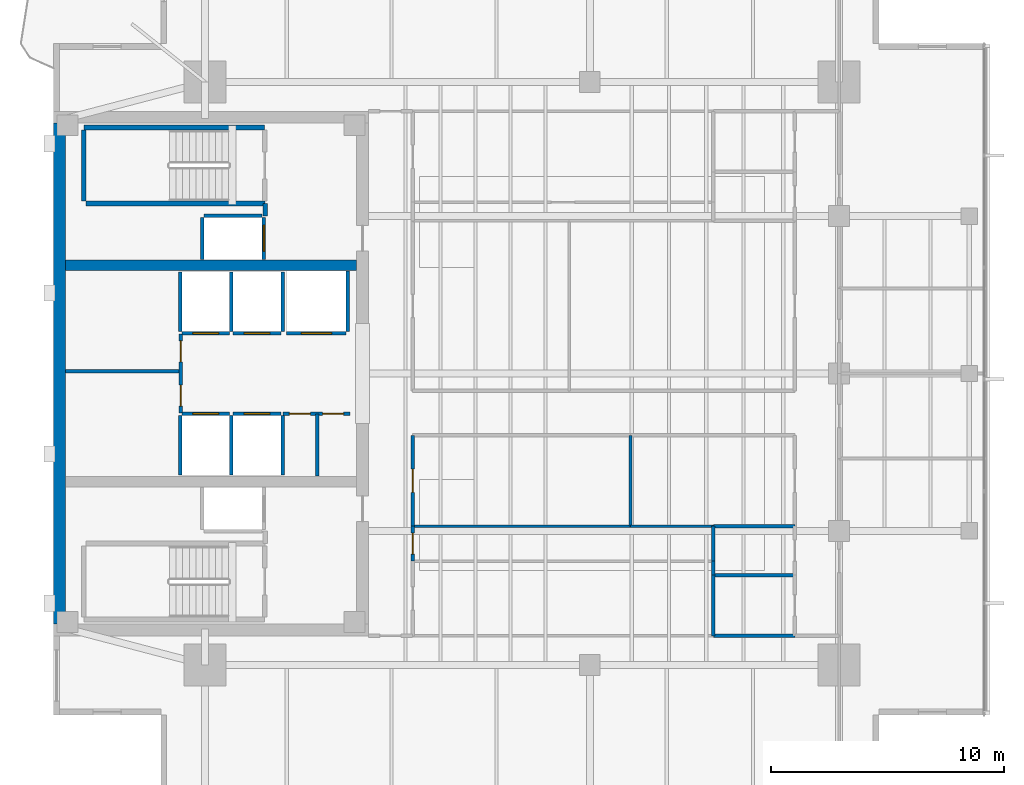
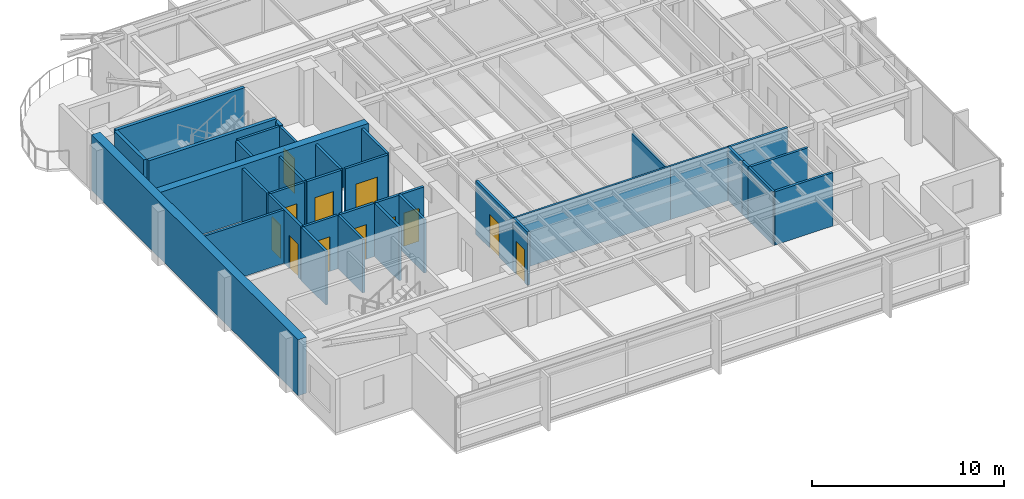
# One storey, part 8 of 14: 36 walls, 12 doors, 12 openings.
"""IFC4 building model written with IfcOpenShell, lengths in metres."""

from ifc_helpers import new_model, si_unit, direction, frame, frame_2d, origin, place, context, subcontext, project, spatial, rectangle, extrude, material, layer, layer_set, type_object, element, fill, save


model = new_model("IFC4")

# Units and contexts
model_context = context("Model", 3, precision=1e-05, world=origin(), true_north=direction((0.0, 1.0)))
body_context = subcontext(model_context, "Body", "Model", "MODEL_VIEW")
ifc_project = project(units=[si_unit("LENGTHUNIT", "METRE"), si_unit("AREAUNIT", "SQUARE_METRE"), si_unit("VOLUMEUNIT", "CUBIC_METRE"), si_unit("PLANEANGLEUNIT", "RADIAN"), si_unit("MASSUNIT", "GRAM", prefix="KILO")], contexts=[model_context])

# Site, building, storey
site_placement = place(None, origin())
site = spatial("IfcSite", under=ifc_project, at=site_placement, CompositionType="ELEMENT")
building_placement = place(site_placement, origin())
building = spatial("IfcBuilding", under=site, at=building_placement, Name="Kinhvarn Gate Tower", CompositionType="ELEMENT")
storey_placement = place(building_placement, frame((0.0, 0.0, 249.25)))
storey = spatial("IfcBuildingStorey", under=building, at=storey_placement, Name="L66", CompositionType="ELEMENT", Elevation=249.25)

# Walls
ifc_material_1 = material(Name="Concrete C50/60", Category="concrete")
ifc_layer_1 = layer(ifc_material_1, 0.449951171875)
ifc_layer_set_1 = layer_set([ifc_layer_1], Name="Concrete C50/60")
wall_type_1 = type_object("IfcWallType", Name="WL-CORE-450", PredefinedType="SHEAR", material=ifc_layer_set_1)
wall_1_placement = place(storey_placement, frame((5.0, 29.89990234375, 0.0), z_axis=(0.0, 0.0, 1.0), x_axis=(1.0, 0.0, 0.0)))
element("IfcWall", 1, at=wall_1_placement, inside=storey, type_object=wall_type_1, Name="Core North Spine Shear Wall L66 450 mm", PredefinedType="SHEAR", context=body_context, shape_type="SweptSolid", body=[
    extrude(rectangle(XDim=12.5, YDim=0.449951171875, at=frame_2d((6.25, 0.0))), origin(), (0.0, 0.0, 1.0), 3.550048828125),
])
ifc_layer_2 = layer(ifc_material_1, 0.5)
ifc_layer_set_2 = layer_set([ifc_layer_2], Name="Concrete C50/60")
wall_type_2 = type_object("IfcWallType", Name="WL-COREX-500", PredefinedType="SHEAR", material=ifc_layer_set_2)
wall_2_placement = place(storey_placement, frame((4.75, 14.5, 0.0), z_axis=(0.0, 0.0, 1.0), x_axis=(0.0, 1.0, 0.0)))
element("IfcWall", 2, at=wall_2_placement, inside=storey, type_object=wall_type_2, Name="Core West Shear Wall L66 500 mm", PredefinedType="SHEAR", context=body_context, shape_type="SweptSolid", body=[
    extrude(rectangle(XDim=21.5, YDim=0.5, at=frame_2d((10.75, 0.0))), origin(), (0.0, 0.0, 1.0), 3.550048828125),
])
ifc_material_2 = material(Name="Gypsum acoustic partition board")
ifc_layer_3 = layer(ifc_material_2, 0.14990234375)
ifc_layer_set_3 = layer_set([ifc_layer_3], Name="Gypsum acoustic partition board")
wall_type_3 = type_object("IfcWallType", Name="WL-PLM-150", PredefinedType="PLUMBINGWALL", material=ifc_layer_set_3)
wall_3_placement = place(storey_placement, frame((32.800048828125, 16.60009765625, 0.0), z_axis=(0.0, 0.0, 1.0), x_axis=(1.0, 0.0, 0.0)))
element("IfcWall", 3, at=wall_3_placement, inside=storey, type_object=wall_type_3, Name="Interior Partition PLW-150 (L66)", PredefinedType="PLUMBINGWALL", context=body_context, shape_type="SweptSolid", body=[
    extrude(rectangle(XDim=3.5, YDim=0.14990234375, at=frame_2d((1.75, 0.0))), origin(), (0.0, 0.0, 1.0), 3.389892578125),
])
wall_4_placement = place(storey_placement, frame((32.800048828125, 14.0, 0.0), z_axis=(0.0, 0.0, 1.0), x_axis=(0.0, 1.0, 0.0)))
element("IfcWall", 4, at=wall_4_placement, inside=storey, type_object=wall_type_3, Name="Interior Partition PLW-150 (L66)", PredefinedType="PLUMBINGWALL", context=body_context, shape_type="SweptSolid", body=[
    extrude(rectangle(XDim=2.60009765625, YDim=0.14990234375, at=frame_2d((1.300048828125, 0.0))), origin(), (0.0, 0.0, 1.0), 3.389892578125),
])
wall_5_placement = place(storey_placement, frame((32.800048828125, 14.0, 0.0), z_axis=(0.0, 0.0, 1.0), x_axis=(1.0, 0.0, 0.0)))
element("IfcWall", 5, at=wall_5_placement, inside=storey, type_object=wall_type_3, Name="Interior Partition PLW-150 (L66)", PredefinedType="PLUMBINGWALL", context=body_context, shape_type="SweptSolid", body=[
    extrude(rectangle(XDim=3.5, YDim=0.14990234375, at=frame_2d((1.75, 0.0))), origin(), (0.0, 0.0, 1.0), 3.389892578125),
])
wall_6_placement = place(storey_placement, frame((32.800048828125, 16.60009765625, 0.0), z_axis=(0.0, 0.0, 1.0), x_axis=(0.0, 1.0, 0.0)))
element("IfcWall", 6, at=wall_6_placement, inside=storey, type_object=wall_type_3, Name="Interior Partition PLW-150 (L66)", PredefinedType="PLUMBINGWALL", context=body_context, shape_type="SweptSolid", body=[
    extrude(rectangle(XDim=0.599853515625, YDim=0.14990234375, at=frame_2d((0.2998046875, 0.0))), origin(), (0.0, 0.0, 1.0), 3.389892578125),
])
wall_7_placement = place(storey_placement, frame((32.800048828125, 17.199951171875, 0.0), z_axis=(0.0, 0.0, 1.0), x_axis=(0.0, 1.0, 0.0)))
element("IfcWall", 7, at=wall_7_placement, inside=storey, type_object=wall_type_3, Name="Interior Partition PLW-150 (L66)", PredefinedType="PLUMBINGWALL", context=body_context, shape_type="SweptSolid", body=[
    extrude(rectangle(XDim=1.5, YDim=0.14990234375, at=frame_2d((0.75, 0.0))), origin(), (0.0, 0.0, 1.0), 3.389892578125),
])
wall_8_placement = place(storey_placement, frame((32.800048828125, 18.699951171875, 0.0), z_axis=(0.0, 0.0, 1.0), x_axis=(1.0, 0.0, 0.0)))
element("IfcWall", 8, at=wall_8_placement, inside=storey, type_object=wall_type_3, Name="Interior Partition PLW-150 (L66)", PredefinedType="PLUMBINGWALL", context=body_context, shape_type="SweptSolid", body=[
    extrude(rectangle(XDim=3.5, YDim=0.14990234375, at=frame_2d((1.75, 0.0))), origin(), (0.0, 0.0, 1.0), 3.389892578125),
])
ifc_layer_4 = layer(ifc_material_2, 0.1201171875)
ifc_layer_set_4 = layer_set([ifc_layer_4], Name="Gypsum acoustic partition board")
wall_type_4 = type_object("IfcWallType", Name="WL-PRT-120", PredefinedType="PARTITIONING", material=ifc_layer_set_4)
wall_9_placement = place(storey_placement, frame((19.89990234375, 18.699951171875, 0.0), z_axis=(0.0, 0.0, 1.0), x_axis=(1.0, 0.0, 0.0)))
element("IfcWall", 9, at=wall_9_placement, inside=storey, type_object=wall_type_4, Name="Interior Partition PW-120 (L66)", PredefinedType="PARTITIONING", context=body_context, shape_type="SweptSolid", body=[
    extrude(rectangle(XDim=9.35009765625, YDim=0.1201171875, at=frame_2d((4.675048828125, 0.0))), origin(), (0.0, 0.0, 1.0), 3.389892578125),
])
wall_10_placement = place(storey_placement, frame((29.25, 18.699951171875, 0.0), z_axis=(0.0, 0.0, 1.0), x_axis=(1.0, 0.0, 0.0)))
element("IfcWall", 10, at=wall_10_placement, inside=storey, type_object=wall_type_4, Name="Interior Partition PW-120 (L66)", PredefinedType="PARTITIONING", context=body_context, shape_type="SweptSolid", body=[
    extrude(rectangle(XDim=3.550048828125, YDim=0.1201171875, at=frame_2d((1.77490234375, 0.0))), origin(), (0.0, 0.0, 1.0), 3.389892578125),
])
wall_11_placement = place(storey_placement, frame((29.25, 18.699951171875, 0.0), z_axis=(0.0, 0.0, 1.0), x_axis=(0.0, 1.0, 0.0)))
element("IfcWall", 11, at=wall_11_placement, inside=storey, type_object=wall_type_4, Name="Interior Partition PW-120 (L66)", PredefinedType="PARTITIONING", context=body_context, shape_type="SweptSolid", body=[
    extrude(rectangle(XDim=3.900146484375, YDim=0.1201171875, at=frame_2d((1.9501953125, 0.0))), origin(), (0.0, 0.0, 1.0), 3.1201171875),
])
ifc_layer_5 = layer(ifc_material_2, 0.14990234375)
ifc_layer_set_5 = layer_set([ifc_layer_5], Name="Gypsum acoustic partition board")
wall_type_5 = type_object("IfcWallType", Name="WL-PRT-150F", PredefinedType="PARTITIONING", material=ifc_layer_set_5)
wall_12_placement = place(storey_placement, frame((5.0, 25.35009765625, 0.0), z_axis=(0.0, 0.0, 1.0), x_axis=(1.0, 0.0, 0.0)))
element("IfcWall", 12, at=wall_12_placement, inside=storey, type_object=wall_type_5, Name="Interior Partition PW-150F (L66)", PredefinedType="PARTITIONING", context=body_context, shape_type="SweptSolid", body=[
    extrude(rectangle(XDim=4.949951171875, YDim=0.14990234375, at=frame_2d((2.47509765625, 0.0))), origin(), (0.0, 0.0, 1.0), 3.389892578125),
])

# Wall, openings, doors
wall_13_placement = place(storey_placement, frame((9.949951171875, 23.550048828125, 0.0), z_axis=(0.0, 0.0, 1.0), x_axis=(0.0, 1.0, 0.0)))
wall_13 = element("IfcWall", 13, at=wall_13_placement, inside=storey, type_object=wall_type_5, Name="Interior Partition PW-150F (L66)", PredefinedType="PARTITIONING", context=body_context, shape_type="SweptSolid", body=[
    extrude(rectangle(XDim=3.39990234375, YDim=0.14990234375, at=frame_2d((1.699951171875, 0.0))), origin(), (0.0, 0.0, 1.0), 3.389892578125),
])
opening_1_placement = place(wall_13_placement, frame((0.298095703125, 0.0, 0.0)))
opening_1 = element("IfcOpeningElement", 14, at=opening_1_placement, cuts=wall_13, Name="Opening FD-04", PredefinedType="OPENING", context=body_context, shape_type="SweptSolid", body=[
    extrude(rectangle(XDim=0.89990234375, YDim=2.10009765625, at=frame_2d((0.449951171875, 1.050048828125))), frame((0.0, 0.0849609375, 0.0), z_axis=(0.0, -1.0, 0.0), x_axis=(1.0, 0.0, 0.0)), (0.0, 0.0, 1.0), 0.169921875),
])
opening_2_placement = place(wall_13_placement, frame((2.201904296875, 0.0, 0.0)))
opening_2 = element("IfcOpeningElement", 15, at=opening_2_placement, cuts=wall_13, Name="Opening FD-04", PredefinedType="OPENING", context=body_context, shape_type="SweptSolid", body=[
    extrude(rectangle(XDim=0.89990234375, YDim=2.10009765625, at=frame_2d((0.449951171875, 1.050048828125))), frame((0.0, 0.0849609375, 0.0), z_axis=(0.0, -1.0, 0.0), x_axis=(1.0, 0.0, 0.0)), (0.0, 0.0, 1.0), 0.169921875),
])
ifc_material_3 = material(Name="Anodised aluminium AW-6063", Category="aluminium")
door_type_1 = type_object("IfcDoorType", Name="DR-FD-900", OperationType="NOTDEFINED", PredefinedType="DOOR", material=ifc_material_3)
door_1_placement = place(opening_1_placement, origin())
door_1 = element("IfcDoor", 16, at=door_1_placement, inside=storey, type_object=door_type_1, Name="Rated Riser & Service Closet Fire Door 900x2100 mm (L66)", OperationType="SINGLE_SWING_RIGHT", OverallHeight=2.10009765625, OverallWidth=0.89990234375, PredefinedType="DOOR", context=body_context, shape_type="SweptSolid", body=[
    extrude(rectangle(XDim=0.89990234375, YDim=2.10009765625, at=frame_2d((0.449951171875, 1.050048828125))), frame((0.0, 0.02490234375, 0.0), z_axis=(0.0, -1.0, 0.0), x_axis=(1.0, 0.0, 0.0)), (0.0, 0.0, 1.0), 0.050048828125),
])
fill(opening_1, door_1)
door_2_placement = place(opening_2_placement, origin())
door_2 = element("IfcDoor", 17, at=door_2_placement, inside=storey, type_object=door_type_1, Name="Rated Riser & Service Closet Fire Door 900x2100 mm (L66)", OperationType="SINGLE_SWING_LEFT", OverallHeight=2.10009765625, OverallWidth=0.89990234375, PredefinedType="DOOR", context=body_context, shape_type="SweptSolid", body=[
    extrude(rectangle(XDim=0.89990234375, YDim=2.10009765625, at=frame_2d((0.449951171875, 1.050048828125))), frame((0.0, 0.02490234375, 0.0), z_axis=(0.0, -1.0, 0.0), x_axis=(1.0, 0.0, 0.0)), (0.0, 0.0, 1.0), 0.050048828125),
])
fill(opening_2, door_2)

# Wall
wall_14_placement = place(storey_placement, frame((15.800048828125, 20.85009765625, 0.0), z_axis=(0.0, 0.0, 1.0), x_axis=(0.0, 1.0, 0.0)))
element("IfcWall", 18, at=wall_14_placement, inside=storey, type_object=wall_type_5, Name="Interior Partition PW-150F (L66)", PredefinedType="PARTITIONING", context=body_context, shape_type="SweptSolid", body=[
    extrude(rectangle(XDim=2.669921875, YDim=0.14990234375, at=frame_2d((1.3349609375, 0.0))), origin(), (0.0, 0.0, 1.0), 3.389892578125),
])

# Wall, openings, doors
wall_15_placement = place(storey_placement, frame((14.330078125, 23.52001953125, 0.0), z_axis=(0.0, 0.0, 1.0), x_axis=(1.0, 0.0, 0.0)))
wall_15 = element("IfcWall", 19, at=wall_15_placement, inside=storey, type_object=wall_type_5, Name="Interior Partition PW-150F (L66)", PredefinedType="PARTITIONING", context=body_context, shape_type="SweptSolid", body=[
    extrude(rectangle(XDim=2.889892578125, YDim=0.14990234375, at=frame_2d((1.44482421875, 0.0))), origin(), (0.0, 0.0, 1.0), 3.389892578125),
])
opening_3_placement = place(wall_15_placement, frame((0.280029296875, 0.0, 0.0)))
opening_3 = element("IfcOpeningElement", 20, at=opening_3_placement, cuts=wall_15, Name="Opening FD-04", PredefinedType="OPENING", context=body_context, shape_type="SweptSolid", body=[
    extrude(rectangle(XDim=0.89990234375, YDim=2.10009765625, at=frame_2d((0.449951171875, 1.050048828125))), frame((0.0, 0.0849609375, 0.0), z_axis=(0.0, -1.0, 0.0), x_axis=(1.0, 0.0, 0.0)), (0.0, 0.0, 1.0), 0.169921875),
])
opening_4_placement = place(wall_15_placement, frame((1.7099609375, 0.0, 0.0)))
opening_4 = element("IfcOpeningElement", 21, at=opening_4_placement, cuts=wall_15, Name="Opening FD-04", PredefinedType="OPENING", context=body_context, shape_type="SweptSolid", body=[
    extrude(rectangle(XDim=0.89990234375, YDim=2.10009765625, at=frame_2d((0.449951171875, 1.050048828125))), frame((0.0, 0.0849609375, 0.0), z_axis=(0.0, -1.0, 0.0), x_axis=(1.0, 0.0, 0.0)), (0.0, 0.0, 1.0), 0.169921875),
])
door_3_placement = place(opening_3_placement, origin())
door_3 = element("IfcDoor", 22, at=door_3_placement, inside=storey, type_object=door_type_1, Name="Rated Riser & Service Closet Fire Door 900x2100 mm (L66)", OperationType="SINGLE_SWING_RIGHT", OverallHeight=2.10009765625, OverallWidth=0.89990234375, PredefinedType="DOOR", context=body_context, shape_type="SweptSolid", body=[
    extrude(rectangle(XDim=0.89990234375, YDim=2.10009765625, at=frame_2d((0.449951171875, 1.050048828125))), frame((0.0, 0.02490234375, 0.0), z_axis=(0.0, -1.0, 0.0), x_axis=(1.0, 0.0, 0.0)), (0.0, 0.0, 1.0), 0.050048828125),
])
fill(opening_3, door_3)
door_4_placement = place(opening_4_placement, origin())
door_4 = element("IfcDoor", 23, at=door_4_placement, inside=storey, type_object=door_type_1, Name="Rated Riser & Service Closet Fire Door 900x2100 mm (L66)", OperationType="SINGLE_SWING_LEFT", OverallHeight=2.10009765625, OverallWidth=0.89990234375, PredefinedType="DOOR", context=body_context, shape_type="SweptSolid", body=[
    extrude(rectangle(XDim=0.89990234375, YDim=2.10009765625, at=frame_2d((0.449951171875, 1.050048828125))), frame((0.0, 0.02490234375, 0.0), z_axis=(0.0, -1.0, 0.0), x_axis=(1.0, 0.0, 0.0)), (0.0, 0.0, 1.0), 0.050048828125),
])
fill(opening_4, door_4)

# Wall, opening, door
wall_16_placement = place(storey_placement, frame((19.89990234375, 17.199951171875, 0.0), z_axis=(0.0, 0.0, 1.0), x_axis=(0.0, 1.0, 0.0)))
wall_16 = element("IfcWall", 24, at=wall_16_placement, inside=storey, type_object=wall_type_5, Name="Interior Partition PW-150F (L66)", PredefinedType="PARTITIONING", context=body_context, shape_type="SweptSolid", body=[
    extrude(rectangle(XDim=1.5, YDim=0.14990234375, at=frame_2d((0.75, 0.0))), origin(), (0.0, 0.0, 1.0), 3.389892578125),
])
opening_5_placement = place(wall_16_placement, frame((0.300048828125, 0.0, 0.0)))
opening_5 = element("IfcOpeningElement", 25, at=opening_5_placement, cuts=wall_16, Name="Opening ID-03", PredefinedType="OPENING", context=body_context, shape_type="SweptSolid", body=[
    extrude(rectangle(XDim=0.89990234375, YDim=2.10009765625, at=frame_2d((0.449951171875, 1.050048828125))), frame((0.0, 0.0849609375, 0.0), z_axis=(0.0, -1.0, 0.0), x_axis=(1.0, 0.0, 0.0)), (0.0, 0.0, 1.0), 0.169921875),
])
door_type_2 = type_object("IfcDoorType", Name="DR-INT-900", OperationType="NOTDEFINED", PredefinedType="DOOR", material=ifc_material_3)
door_5_placement = place(opening_5_placement, origin())
door_5 = element("IfcDoor", 26, at=door_5_placement, inside=storey, type_object=door_type_2, Name="Cellular Office & Restroom Door 900x2100 mm (L66)", OperationType="SINGLE_SWING_LEFT", OverallHeight=2.10009765625, OverallWidth=0.89990234375, PredefinedType="DOOR", context=body_context, shape_type="SweptSolid", body=[
    extrude(rectangle(XDim=0.89990234375, YDim=2.10009765625, at=frame_2d((0.449951171875, 1.050048828125))), frame((0.0, 0.02490234375, 0.0), z_axis=(0.0, -1.0, 0.0), x_axis=(1.0, 0.0, 0.0)), (0.0, 0.0, 1.0), 0.050048828125),
])
fill(opening_5, door_5)

wall_17_placement = place(storey_placement, frame((19.89990234375, 18.699951171875, 0.0), z_axis=(0.0, 0.0, 1.0), x_axis=(0.0, 1.0, 0.0)))
wall_17 = element("IfcWall", 27, at=wall_17_placement, inside=storey, type_object=wall_type_5, Name="Interior Partition PW-150F (L66)", PredefinedType="PARTITIONING", context=body_context, shape_type="SweptSolid", body=[
    extrude(rectangle(XDim=3.900146484375, YDim=0.14990234375, at=frame_2d((1.9501953125, 0.0))), origin(), (0.0, 0.0, 1.0), 3.389892578125),
])
opening_6_placement = place(wall_17_placement, frame((1.449951171875, 0.0, 0.0)))
opening_6 = element("IfcOpeningElement", 28, at=opening_6_placement, cuts=wall_17, Name="Opening ID-02", PredefinedType="OPENING", context=body_context, shape_type="SweptSolid", body=[
    extrude(rectangle(XDim=1.0, YDim=2.14990234375, at=frame_2d((0.5, 1.074951171875))), frame((0.0, 0.0849609375, 0.0), z_axis=(0.0, -1.0, 0.0), x_axis=(1.0, 0.0, 0.0)), (0.0, 0.0, 1.0), 0.169921875),
])
door_type_3 = type_object("IfcDoorType", Name="DR-INT-1000", OperationType="NOTDEFINED", PredefinedType="DOOR", material=ifc_material_3)
door_6_placement = place(opening_6_placement, origin())
door_6 = element("IfcDoor", 29, at=door_6_placement, inside=storey, type_object=door_type_3, Name="Standard Office & Meeting Room Door 1000x2150 mm (L66)", OperationType="SINGLE_SWING_LEFT", OverallHeight=2.14990234375, OverallWidth=1.0, PredefinedType="DOOR", context=body_context, shape_type="SweptSolid", body=[
    extrude(rectangle(XDim=1.0, YDim=2.14990234375, at=frame_2d((0.5, 1.074951171875))), frame((0.0, 0.02490234375, 0.0), z_axis=(0.0, -1.0, 0.0), x_axis=(1.0, 0.0, 0.0)), (0.0, 0.0, 1.0), 0.050048828125),
])
fill(opening_6, door_6)

# Wall
ifc_layer_6 = layer(ifc_material_2, 0.199951171875)
ifc_layer_set_6 = layer_set([ifc_layer_6], Name="Gypsum acoustic partition board")
wall_type_6 = type_object("IfcWallType", Name="WL-PRT-200", PredefinedType="PARTITIONING", material=ifc_layer_set_6)
wall_18_placement = place(storey_placement, frame((13.580078125, 32.0, 0.0), z_axis=(0.0, 0.0, 1.0), x_axis=(0.0, 1.0, 0.0)))
element("IfcWall", 30, at=wall_18_placement, inside=storey, type_object=wall_type_6, Name="Interior Partition PW-200 (L66)", PredefinedType="PARTITIONING", context=body_context, shape_type="SweptSolid", body=[
    extrude(rectangle(XDim=0.5400390625, YDim=0.199951171875, at=frame_2d((0.27001953125, 0.0))), origin(), (0.0, 0.0, 1.0), 3.389892578125),
])

# Wall, opening, door
ifc_layer_7 = layer(ifc_material_2, 0.14990234375)
ifc_layer_set_7 = layer_set([ifc_layer_7], Name="Gypsum acoustic partition board")
wall_type_7 = type_object("IfcWallType", Name="WL-SHF-150", PredefinedType="PARTITIONING", material=ifc_layer_set_7)
wall_19_placement = place(storey_placement, frame((10.0, 23.52490234375, 0.0), z_axis=(0.0, 0.0, 1.0), x_axis=(1.0, 0.0, 0.0)))
wall_19 = element("IfcWall", 31, at=wall_19_placement, inside=storey, type_object=wall_type_7, Name="Elevator PH-09 Landing Wall (L66)", PredefinedType="PARTITIONING", context=body_context, shape_type="SweptSolid", body=[
    extrude(rectangle(XDim=2.050048828125, YDim=0.14990234375, at=frame_2d((1.02490234375, 0.0))), origin(), (0.0, 0.0, 1.0), 3.389892578125),
])
opening_7_placement = place(wall_19_placement, frame((0.47509765625, 0.0, 0.0)))
opening_7 = element("IfcOpeningElement", 32, at=opening_7_placement, cuts=wall_19, Name="Opening LD-01", PredefinedType="OPENING", context=body_context, shape_type="SweptSolid", body=[
    extrude(rectangle(XDim=1.10009765625, YDim=2.199951171875, at=frame_2d((0.550048828125, 1.10009765625))), frame((0.0, 0.0849609375, 0.0), z_axis=(0.0, -1.0, 0.0), x_axis=(1.0, 0.0, 0.0)), (0.0, 0.0, 1.0), 0.169921875),
])
door_type_4 = type_object("IfcDoorType", Name="DR-LND-PAS", OperationType="NOTDEFINED", PredefinedType="DOOR", material=ifc_material_3)
door_7_placement = place(opening_7_placement, origin())
door_7 = element("IfcDoor", 33, at=door_7_placement, inside=storey, type_object=door_type_4, Name="Elevator PH-09 Sliding Landing Door (L66)", OperationType="DOUBLE_DOOR_SLIDING", OverallHeight=2.199951171875, OverallWidth=1.10009765625, PredefinedType="DOOR", context=body_context, shape_type="SweptSolid", body=[
    extrude(rectangle(XDim=1.10009765625, YDim=2.199951171875, at=frame_2d((0.550048828125, 1.10009765625))), frame((0.0, 0.02490234375, 0.0), z_axis=(0.0, -1.0, 0.0), x_axis=(1.0, 0.0, 0.0)), (0.0, 0.0, 1.0), 0.050048828125),
])
fill(opening_7, door_7)

# Walls
for number, where, z_axis, x_axis, name in (
    (34, (9.925048828125, 20.89990234375, 0.0), (0.0, 0.0, 1.0), (0.0, 1.0, 0.0), "Elevator PH-09 Hoistway Wall W (L66)"),
    (35, (12.125, 20.89990234375, 0.0), (0.0, 0.0, 1.0), (0.0, 1.0, 0.0), "Elevator PH-09 Hoistway Wall E (L66)"),
):
    element("IfcWall", number, at=place(storey_placement, frame(where, z_axis=z_axis, x_axis=x_axis)), inside=storey, type_object=wall_type_7, Name=name, PredefinedType="PARTITIONING", context=body_context, shape_type="SweptSolid", body=[
        extrude(rectangle(XDim=2.550048828125, YDim=0.14990234375, at=frame_2d((1.27490234375, 0.0))), origin(), (0.0, 0.0, 1.0), 3.389892578125),
    ])

# Wall, opening, door
wall_20_placement = place(storey_placement, frame((12.199951171875, 23.52490234375, 0.0), z_axis=(0.0, 0.0, 1.0), x_axis=(1.0, 0.0, 0.0)))
wall_20 = element("IfcWall", 36, at=wall_20_placement, inside=storey, type_object=wall_type_7, Name="Elevator PH-10 Landing Wall (L66)", PredefinedType="PARTITIONING", context=body_context, shape_type="SweptSolid", body=[
    extrude(rectangle(XDim=2.050048828125, YDim=0.14990234375, at=frame_2d((1.02490234375, 0.0))), origin(), (0.0, 0.0, 1.0), 3.389892578125),
])
opening_8_placement = place(wall_20_placement, frame((0.47509765625, 0.0, 0.0)))
opening_8 = element("IfcOpeningElement", 37, at=opening_8_placement, cuts=wall_20, Name="Opening LD-01", PredefinedType="OPENING", context=body_context, shape_type="SweptSolid", body=[
    extrude(rectangle(XDim=1.10009765625, YDim=2.199951171875, at=frame_2d((0.550048828125, 1.10009765625))), frame((0.0, 0.0849609375, 0.0), z_axis=(0.0, -1.0, 0.0), x_axis=(1.0, 0.0, 0.0)), (0.0, 0.0, 1.0), 0.169921875),
])
door_8_placement = place(opening_8_placement, origin())
door_8 = element("IfcDoor", 38, at=door_8_placement, inside=storey, type_object=door_type_4, Name="Elevator PH-10 Sliding Landing Door (L66)", OperationType="DOUBLE_DOOR_SLIDING", OverallHeight=2.199951171875, OverallWidth=1.10009765625, PredefinedType="DOOR", context=body_context, shape_type="SweptSolid", body=[
    extrude(rectangle(XDim=1.10009765625, YDim=2.199951171875, at=frame_2d((0.550048828125, 1.10009765625))), frame((0.0, 0.02490234375, 0.0), z_axis=(0.0, -1.0, 0.0), x_axis=(1.0, 0.0, 0.0)), (0.0, 0.0, 1.0), 0.050048828125),
])
fill(opening_8, door_8)

# Wall
wall_21_placement = place(storey_placement, frame((14.324951171875, 20.89990234375, 0.0), z_axis=(0.0, 0.0, 1.0), x_axis=(0.0, 1.0, 0.0)))
element("IfcWall", 39, at=wall_21_placement, inside=storey, type_object=wall_type_7, Name="Elevator PH-10 Hoistway Wall E (L66)", PredefinedType="PARTITIONING", context=body_context, shape_type="SweptSolid", body=[
    extrude(rectangle(XDim=2.550048828125, YDim=0.14990234375, at=frame_2d((1.27490234375, 0.0))), origin(), (0.0, 0.0, 1.0), 3.389892578125),
])

# Wall, opening, door
wall_22_placement = place(storey_placement, frame((10.0, 26.97509765625, 0.0), z_axis=(0.0, 0.0, 1.0), x_axis=(1.0, 0.0, 0.0)))
wall_22 = element("IfcWall", 40, at=wall_22_placement, inside=storey, type_object=wall_type_7, Name="Elevator PH-11 Landing Wall (L66)", PredefinedType="PARTITIONING", context=body_context, shape_type="SweptSolid", body=[
    extrude(rectangle(XDim=2.050048828125, YDim=0.14990234375, at=frame_2d((1.02490234375, 0.0))), origin(), (0.0, 0.0, 1.0), 3.389892578125),
])
opening_9_placement = place(wall_22_placement, frame((0.47509765625, 0.0, 0.0)))
opening_9 = element("IfcOpeningElement", 41, at=opening_9_placement, cuts=wall_22, Name="Opening LD-01", PredefinedType="OPENING", context=body_context, shape_type="SweptSolid", body=[
    extrude(rectangle(XDim=1.10009765625, YDim=2.199951171875, at=frame_2d((0.550048828125, 1.10009765625))), frame((0.0, 0.0849609375, 0.0), z_axis=(0.0, -1.0, 0.0), x_axis=(1.0, 0.0, 0.0)), (0.0, 0.0, 1.0), 0.169921875),
])
door_9_placement = place(opening_9_placement, origin())
door_9 = element("IfcDoor", 42, at=door_9_placement, inside=storey, type_object=door_type_4, Name="Elevator PH-11 Sliding Landing Door (L66)", OperationType="DOUBLE_DOOR_SLIDING", OverallHeight=2.199951171875, OverallWidth=1.10009765625, PredefinedType="DOOR", context=body_context, shape_type="SweptSolid", body=[
    extrude(rectangle(XDim=1.10009765625, YDim=2.199951171875, at=frame_2d((0.550048828125, 1.10009765625))), frame((0.0, 0.02490234375, 0.0), z_axis=(0.0, -1.0, 0.0), x_axis=(1.0, 0.0, 0.0)), (0.0, 0.0, 1.0), 0.050048828125),
])
fill(opening_9, door_9)

# Walls
for number, where, z_axis, x_axis, name in (
    (43, (9.925048828125, 27.050048828125, 0.0), (0.0, 0.0, 1.0), (0.0, 1.0, 0.0), "Elevator PH-11 Hoistway Wall W (L66)"),
    (44, (12.125, 27.050048828125, 0.0), (0.0, 0.0, 1.0), (0.0, 1.0, 0.0), "Elevator PH-11 Hoistway Wall E (L66)"),
):
    element("IfcWall", number, at=place(storey_placement, frame(where, z_axis=z_axis, x_axis=x_axis)), inside=storey, type_object=wall_type_7, Name=name, PredefinedType="PARTITIONING", context=body_context, shape_type="SweptSolid", body=[
        extrude(rectangle(XDim=2.550048828125, YDim=0.14990234375, at=frame_2d((1.27490234375, 0.0))), origin(), (0.0, 0.0, 1.0), 3.389892578125),
    ])

# Wall, opening, door
wall_23_placement = place(storey_placement, frame((12.199951171875, 26.97509765625, 0.0), z_axis=(0.0, 0.0, 1.0), x_axis=(1.0, 0.0, 0.0)))
wall_23 = element("IfcWall", 45, at=wall_23_placement, inside=storey, type_object=wall_type_7, Name="Elevator PH-12 Landing Wall (L66)", PredefinedType="PARTITIONING", context=body_context, shape_type="SweptSolid", body=[
    extrude(rectangle(XDim=2.050048828125, YDim=0.14990234375, at=frame_2d((1.02490234375, 0.0))), origin(), (0.0, 0.0, 1.0), 3.389892578125),
])
opening_10_placement = place(wall_23_placement, frame((0.47509765625, 0.0, 0.0)))
opening_10 = element("IfcOpeningElement", 46, at=opening_10_placement, cuts=wall_23, Name="Opening LD-01", PredefinedType="OPENING", context=body_context, shape_type="SweptSolid", body=[
    extrude(rectangle(XDim=1.10009765625, YDim=2.199951171875, at=frame_2d((0.550048828125, 1.10009765625))), frame((0.0, 0.0849609375, 0.0), z_axis=(0.0, -1.0, 0.0), x_axis=(1.0, 0.0, 0.0)), (0.0, 0.0, 1.0), 0.169921875),
])
door_10_placement = place(opening_10_placement, origin())
door_10 = element("IfcDoor", 47, at=door_10_placement, inside=storey, type_object=door_type_4, Name="Elevator PH-12 Sliding Landing Door (L66)", OperationType="DOUBLE_DOOR_SLIDING", OverallHeight=2.199951171875, OverallWidth=1.10009765625, PredefinedType="DOOR", context=body_context, shape_type="SweptSolid", body=[
    extrude(rectangle(XDim=1.10009765625, YDim=2.199951171875, at=frame_2d((0.550048828125, 1.10009765625))), frame((0.0, 0.02490234375, 0.0), z_axis=(0.0, -1.0, 0.0), x_axis=(1.0, 0.0, 0.0)), (0.0, 0.0, 1.0), 0.050048828125),
])
fill(opening_10, door_10)

# Wall
wall_24_placement = place(storey_placement, frame((14.324951171875, 27.050048828125, 0.0), z_axis=(0.0, 0.0, 1.0), x_axis=(0.0, 1.0, 0.0)))
element("IfcWall", 48, at=wall_24_placement, inside=storey, type_object=wall_type_7, Name="Elevator PH-12 Hoistway Wall E (L66)", PredefinedType="PARTITIONING", context=body_context, shape_type="SweptSolid", body=[
    extrude(rectangle(XDim=2.550048828125, YDim=0.14990234375, at=frame_2d((1.27490234375, 0.0))), origin(), (0.0, 0.0, 1.0), 3.389892578125),
])

# Wall, opening, door
wall_25_placement = place(storey_placement, frame((14.5, 26.97509765625, 0.0), z_axis=(0.0, 0.0, 1.0), x_axis=(1.0, 0.0, 0.0)))
wall_25 = element("IfcWall", 49, at=wall_25_placement, inside=storey, type_object=wall_type_7, Name="Elevator SV-01 Landing Wall (L66)", PredefinedType="PARTITIONING", context=body_context, shape_type="SweptSolid", body=[
    extrude(rectangle(XDim=2.550048828125, YDim=0.14990234375, at=frame_2d((1.27490234375, 0.0))), origin(), (0.0, 0.0, 1.0), 3.389892578125),
])
opening_11_placement = place(wall_25_placement, frame((0.625, 0.0, 0.0)))
opening_11 = element("IfcOpeningElement", 50, at=opening_11_placement, cuts=wall_25, Name="Opening LD-02", PredefinedType="OPENING", context=body_context, shape_type="SweptSolid", body=[
    extrude(rectangle(XDim=1.300048828125, YDim=2.199951171875, at=frame_2d((0.64990234375, 1.10009765625))), frame((0.0, 0.0849609375, 0.0), z_axis=(0.0, -1.0, 0.0), x_axis=(1.0, 0.0, 0.0)), (0.0, 0.0, 1.0), 0.169921875),
])
door_type_5 = type_object("IfcDoorType", Name="DR-LND-SRV", OperationType="NOTDEFINED", PredefinedType="DOOR", material=ifc_material_3)
door_11_placement = place(opening_11_placement, origin())
door_11 = element("IfcDoor", 51, at=door_11_placement, inside=storey, type_object=door_type_5, Name="Elevator SV-01 Sliding Landing Door (L66)", OperationType="DOUBLE_DOOR_SLIDING", OverallHeight=2.199951171875, OverallWidth=1.300048828125, PredefinedType="DOOR", context=body_context, shape_type="SweptSolid", body=[
    extrude(rectangle(XDim=1.300048828125, YDim=2.199951171875, at=frame_2d((0.64990234375, 1.10009765625))), frame((0.0, 0.02490234375, 0.0), z_axis=(0.0, -1.0, 0.0), x_axis=(1.0, 0.0, 0.0)), (0.0, 0.0, 1.0), 0.050048828125),
])
fill(opening_11, door_11)

# Walls
wall_26_placement = place(storey_placement, frame((17.125, 27.050048828125, 0.0), z_axis=(0.0, 0.0, 1.0), x_axis=(0.0, 1.0, 0.0)))
element("IfcWall", 52, at=wall_26_placement, inside=storey, type_object=wall_type_7, Name="Elevator SV-01 Hoistway Wall E (L66)", PredefinedType="PARTITIONING", context=body_context, shape_type="SweptSolid", body=[
    extrude(rectangle(XDim=2.599853515625, YDim=0.14990234375, at=frame_2d((1.2998046875, 0.0))), origin(), (0.0, 0.0, 1.0), 3.389892578125),
])
wall_27_placement = place(storey_placement, frame((10.949951171875, 32.02490234375, 0.0), z_axis=(0.0, 0.0, 1.0), x_axis=(1.0, 0.0, 0.0)))
element("IfcWall", 53, at=wall_27_placement, inside=storey, type_object=wall_type_7, Name="Elevator FF2 Hoistway Wall N (L66)", PredefinedType="PARTITIONING", context=body_context, shape_type="SweptSolid", body=[
    extrude(rectangle(XDim=2.5, YDim=0.14990234375, at=frame_2d((1.25, 0.0))), origin(), (0.0, 0.0, 1.0), 3.389892578125),
])
wall_28_placement = place(storey_placement, frame((10.875, 30.14990234375, 0.0), z_axis=(0.0, 0.0, 1.0), x_axis=(0.0, 1.0, 0.0)))
element("IfcWall", 54, at=wall_28_placement, inside=storey, type_object=wall_type_7, Name="Elevator FF2 Hoistway Wall W (L66)", PredefinedType="PARTITIONING", context=body_context, shape_type="SweptSolid", body=[
    extrude(rectangle(XDim=1.800048828125, YDim=0.14990234375, at=frame_2d((0.89990234375, 0.0))), origin(), (0.0, 0.0, 1.0), 3.389892578125),
])

# Wall, opening, door
wall_29_placement = place(storey_placement, frame((13.52490234375, 30.14990234375, 0.0), z_axis=(0.0, 0.0, 1.0), x_axis=(0.0, 1.0, 0.0)))
wall_29 = element("IfcWall", 55, at=wall_29_placement, inside=storey, type_object=wall_type_7, Name="Elevator FF2 Landing Wall (L66)", PredefinedType="PARTITIONING", context=body_context, shape_type="SweptSolid", body=[
    extrude(rectangle(XDim=1.800048828125, YDim=0.14990234375, at=frame_2d((0.89990234375, 0.0))), origin(), (0.0, 0.0, 1.0), 3.389892578125),
])
opening_12_placement = place(wall_29_placement, frame((0.35009765625, 0.0, 0.0)))
opening_12 = element("IfcOpeningElement", 56, at=opening_12_placement, cuts=wall_29, Name="Opening LD-03", PredefinedType="OPENING", context=body_context, shape_type="SweptSolid", body=[
    extrude(rectangle(XDim=1.10009765625, YDim=2.199951171875, at=frame_2d((0.550048828125, 1.10009765625))), frame((0.0, 0.0849609375, 0.0), z_axis=(0.0, -1.0, 0.0), x_axis=(1.0, 0.0, 0.0)), (0.0, 0.0, 1.0), 0.169921875),
])
door_type_6 = type_object("IfcDoorType", Name="DR-LND-FF", OperationType="NOTDEFINED", PredefinedType="DOOR", material=ifc_material_3)
door_12_placement = place(opening_12_placement, origin())
door_12 = element("IfcDoor", 57, at=door_12_placement, inside=storey, type_object=door_type_6, Name="Elevator FF2 Sliding Landing Door (L66)", OperationType="DOUBLE_DOOR_SLIDING", OverallHeight=2.199951171875, OverallWidth=1.10009765625, PredefinedType="DOOR", context=body_context, shape_type="SweptSolid", body=[
    extrude(rectangle(XDim=1.10009765625, YDim=2.199951171875, at=frame_2d((0.550048828125, 1.10009765625))), frame((0.0, 0.02490234375, 0.0), z_axis=(0.0, -1.0, 0.0), x_axis=(1.0, 0.0, 0.0)), (0.0, 0.0, 1.0), 0.050048828125),
])
fill(opening_12, door_12)

# Walls
ifc_material_4 = material(Name="Concrete C40/50", Category="concrete")
ifc_layer_8 = layer(ifc_material_4, 0.199951171875)
ifc_layer_set_8 = layer_set([ifc_layer_8], Name="Concrete C40/50")
wall_type_8 = type_object("IfcWallType", Name="WL-SHF-200", PredefinedType="SOLIDWALL", material=ifc_layer_set_8)
wall_30_placement = place(storey_placement, frame((5.800048828125, 35.800048828125, 0.0), z_axis=(0.0, 0.0, 1.0), x_axis=(1.0, 0.0, 0.0)))
element("IfcWall", 58, at=wall_30_placement, inside=storey, type_object=wall_type_8, Name="Stair ST2 North Shaft Wall (L66)", PredefinedType="SOLIDWALL", context=body_context, shape_type="SweptSolid", body=[
    extrude(rectangle(XDim=7.75, YDim=0.199951171875, at=frame_2d((3.875, 0.0))), origin(), (0.0, 0.0, 1.0), 3.550048828125),
])
wall_31_placement = place(storey_placement, frame((5.7900390625, 32.64990234375, 0.0), z_axis=(0.0, 0.0, 1.0), x_axis=(0.0, 1.0, 0.0)))
element("IfcWall", 59, at=wall_31_placement, inside=storey, type_object=wall_type_8, Name="Stair ST2 West Shaft Wall (L66)", PredefinedType="SOLIDWALL", context=body_context, shape_type="SweptSolid", body=[
    extrude(rectangle(XDim=3.050048828125, YDim=0.199951171875, at=frame_2d((1.52490234375, 0.0))), origin(), (0.0, 0.0, 1.0), 3.550048828125),
])
wall_32_placement = place(storey_placement, frame((5.89990234375, 32.5400390625, 0.0), z_axis=(0.0, 0.0, 1.0), x_axis=(1.0, 0.0, 0.0)))
element("IfcWall", 60, at=wall_32_placement, inside=storey, type_object=wall_type_8, Name="Stair ST2 South Shaft Wall (L66)", PredefinedType="SOLIDWALL", context=body_context, shape_type="SweptSolid", body=[
    extrude(rectangle(XDim=7.66015625, YDim=0.199951171875, at=frame_2d((3.830078125, 0.0))), origin(), (0.0, 0.0, 1.0), 3.550048828125),
])

save(model, "model.ifc")
